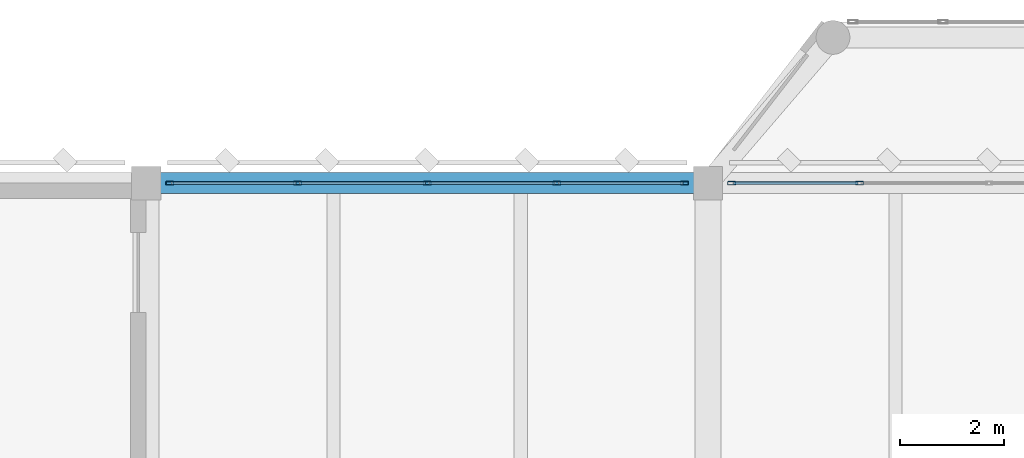
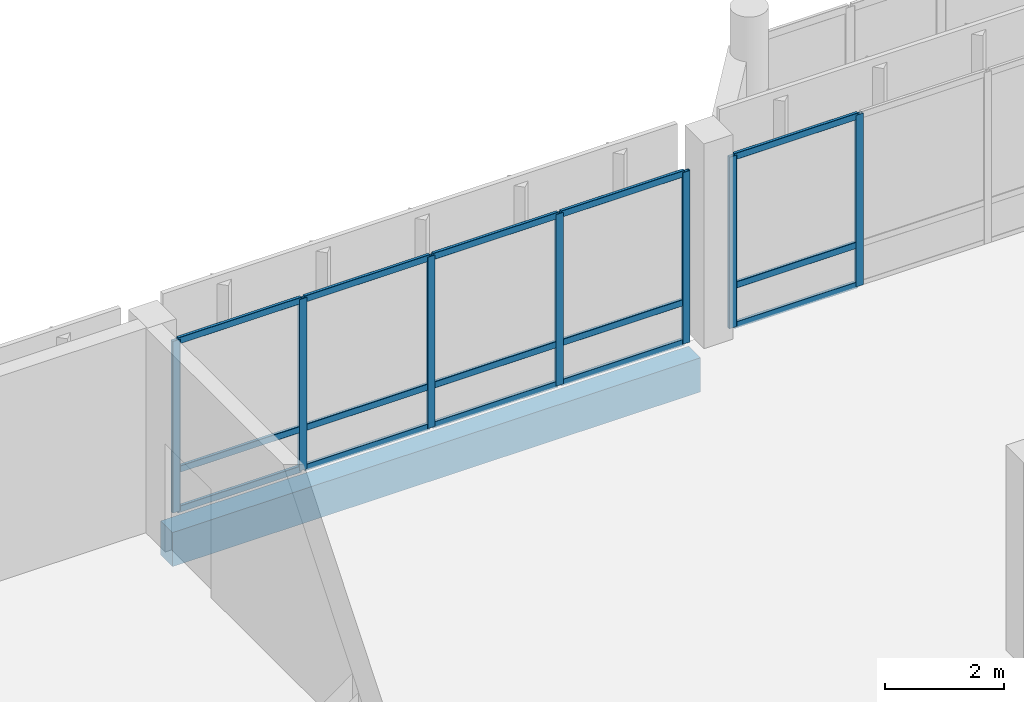
# One storey, part 43 of 158: 22 members, 1 beam, 2 elements without a shape of their own.
"""IFC4 building model written with IfcOpenShell, lengths in metres."""

from ifc_helpers import new_model, si_unit, direction, frame, origin, origin_2d, place, context, subcontext, project, spatial, rectangle, hollow_rectangle, extrude, material, material_profile, profile_set, type_object, element, aggregate, save


model = new_model("IFC4")

# Units and contexts
model_context = context("Model", 3, precision=1e-05, world=origin(), true_north=direction((0.0, 1.0)))
body_context = subcontext(model_context, "Body", "Model", "MODEL_VIEW")
ifc_project = project(units=[si_unit("LENGTHUNIT", "METRE"), si_unit("AREAUNIT", "SQUARE_METRE"), si_unit("VOLUMEUNIT", "CUBIC_METRE"), si_unit("PLANEANGLEUNIT", "RADIAN"), si_unit("MASSUNIT", "GRAM", prefix="KILO")], contexts=[model_context])

# Site, building, storey
site_placement = place(None, origin())
site = spatial("IfcSite", under=ifc_project, at=site_placement, CompositionType="ELEMENT")
building_placement = place(site_placement, origin())
building = spatial("IfcBuilding", under=site, at=building_placement, Name="Lusvemor Sports Hall", CompositionType="ELEMENT")
storey_placement = place(building_placement, frame((0.0, 0.0, 10.800048828125)))
storey = spatial("IfcBuildingStorey", under=building, at=storey_placement, Name="L02", CompositionType="ELEMENT", Elevation=10.800048828125)

# Curtain wall, members
ifc_material_1 = material(Name="Thermally broken bronze-anodized aluminium", Category="aluminium")
curtain_wall_type = type_object("IfcCurtainWallType", Name="CW_WING_B", PredefinedType="NOTDEFINED", material=ifc_material_1)
curtain_wall_1_placement = place(storey_placement, origin())
curtain_wall_1 = element("IfcCurtainWall", 1, at=curtain_wall_1_placement, inside=storey, type_object=curtain_wall_type, Name="Curtain Wall CW-L02-N-1-1", PredefinedType="NOTDEFINED")
ifc_material_2 = material(Name="Thermally broken bronze-anodized aluminium", Category="aluminium")
ifc_material_profile_1 = material_profile(ifc_material_2, hollow_rectangle(XDim=0.06494140625, YDim=0.14990234375, WallThickness=0.00390625, InnerFilletRadius=0.00390625, OuterFilletRadius=0.008056640625, at=origin_2d()), Name="CWMUL150x65x4")
ifc_profile_set_1 = profile_set([ifc_material_profile_1], Name="Thermally broken bronze-anodized aluminium")
member_type_1 = type_object("IfcMemberType", Name="CW_MUL_B", PredefinedType="MULLION", material=ifc_profile_set_1)
member_1_placement = place(storey_placement, frame((11.25244140625, 115.199951171875, 0.0), z_axis=(0.0, 0.0, 1.0), x_axis=(0.0, 1.0, 0.0)))
member_1 = element("IfcMember", 2, at=member_1_placement, type_object=member_type_1, Name="CW02 mullion 1", PredefinedType="MULLION", context=body_context, shape_type="SweptSolid", body=[
    extrude(hollow_rectangle(XDim=0.06494140625, YDim=0.14990234375, WallThickness=0.00390625, InnerFilletRadius=0.00390625, OuterFilletRadius=0.008056640625, at=origin_2d()), origin(), (0.0, 0.0, 1.0), 3.52001953125),
])
member_2_placement = place(storey_placement, frame((13.7099609375, 115.199951171875, 0.0), z_axis=(0.0, 0.0, 1.0), x_axis=(0.0, 1.0, 0.0)))
member_2 = element("IfcMember", 3, at=member_2_placement, type_object=member_type_1, Name="CW02 mullion 2", PredefinedType="MULLION", context=body_context, shape_type="SweptSolid", body=[
    extrude(hollow_rectangle(XDim=0.06494140625, YDim=0.14990234375, WallThickness=0.00390625, InnerFilletRadius=0.00390625, OuterFilletRadius=0.008056640625, at=origin_2d()), origin(), (0.0, 0.0, 1.0), 3.52001953125),
])
member_3_placement = place(storey_placement, frame((16.199951171875, 115.199951171875, 0.0), z_axis=(0.0, 0.0, 1.0), x_axis=(0.0, 1.0, 0.0)))
member_3 = element("IfcMember", 4, at=member_3_placement, type_object=member_type_1, Name="CW02 mullion 3", PredefinedType="MULLION", context=body_context, shape_type="SweptSolid", body=[
    extrude(hollow_rectangle(XDim=0.06494140625, YDim=0.14990234375, WallThickness=0.00390625, InnerFilletRadius=0.00390625, OuterFilletRadius=0.008056640625, at=origin_2d()), origin(), (0.0, 0.0, 1.0), 3.52001953125),
])
member_4_placement = place(storey_placement, frame((18.68994140625, 115.199951171875, 0.0), z_axis=(0.0, 0.0, 1.0), x_axis=(0.0, 1.0, 0.0)))
member_4 = element("IfcMember", 5, at=member_4_placement, type_object=member_type_1, Name="CW02 mullion 4", PredefinedType="MULLION", context=body_context, shape_type="SweptSolid", body=[
    extrude(hollow_rectangle(XDim=0.06494140625, YDim=0.14990234375, WallThickness=0.00390625, InnerFilletRadius=0.00390625, OuterFilletRadius=0.008056640625, at=origin_2d()), origin(), (0.0, 0.0, 1.0), 3.52001953125),
])
member_5_placement = place(storey_placement, frame((21.1474609375, 115.199951171875, 0.0), z_axis=(0.0, 0.0, 1.0), x_axis=(0.0, 1.0, 0.0)))
member_5 = element("IfcMember", 6, at=member_5_placement, type_object=member_type_1, Name="CW02 mullion 5", PredefinedType="MULLION", context=body_context, shape_type="SweptSolid", body=[
    extrude(hollow_rectangle(XDim=0.06494140625, YDim=0.14990234375, WallThickness=0.00390625, InnerFilletRadius=0.00390625, OuterFilletRadius=0.008056640625, at=origin_2d()), origin(), (0.0, 0.0, 1.0), 3.52001953125),
])

curtain_wall_2_placement = place(storey_placement, origin())
curtain_wall_2 = element("IfcCurtainWall", 7, at=curtain_wall_2_placement, inside=storey, type_object=curtain_wall_type, Name="Curtain Wall CW-L02-N-1-2", PredefinedType="NOTDEFINED")
member_6_placement = place(storey_placement, frame((22.052490234375, 115.199951171875, 0.0), z_axis=(0.0, 0.0, 1.0), x_axis=(0.0, 1.0, 0.0)))
member_6 = element("IfcMember", 8, at=member_6_placement, type_object=member_type_1, Name="CW02 mullion 1", PredefinedType="MULLION", context=body_context, shape_type="SweptSolid", body=[
    extrude(hollow_rectangle(XDim=0.06494140625, YDim=0.14990234375, WallThickness=0.00390625, InnerFilletRadius=0.00390625, OuterFilletRadius=0.008056640625, at=origin_2d()), origin(), (0.0, 0.0, 1.0), 3.52001953125),
])
member_7_placement = place(storey_placement, frame((24.510009765625, 115.199951171875, 0.0), z_axis=(0.0, 0.0, 1.0), x_axis=(0.0, 1.0, 0.0)))
member_7 = element("IfcMember", 9, at=member_7_placement, type_object=member_type_1, Name="CW02 mullion 2", PredefinedType="MULLION", context=body_context, shape_type="SweptSolid", body=[
    extrude(hollow_rectangle(XDim=0.06494140625, YDim=0.14990234375, WallThickness=0.00390625, InnerFilletRadius=0.00390625, OuterFilletRadius=0.008056640625, at=origin_2d()), origin(), (0.0, 0.0, 1.0), 3.52001953125),
])

# Member
ifc_material_3 = material(Name="Thermally broken bronze-anodized aluminium", Category="aluminium")
ifc_material_profile_2 = material_profile(ifc_material_3, hollow_rectangle(XDim=0.06005859375, YDim=0.135009765625, WallThickness=0.00390625, InnerFilletRadius=0.00390625, OuterFilletRadius=0.008056640625, at=origin_2d()), Name="CWTRN135x60x4")
ifc_profile_set_2 = profile_set([ifc_material_profile_2], Name="Thermally broken bronze-anodized aluminium")
member_type_2 = type_object("IfcMemberType", Name="CW_TRN_B", PredefinedType="USERDEFINED", material=ifc_profile_set_2)
member_8_placement = place(storey_placement, frame((11.284912109375, 115.199951171875, 0.030029296875), z_axis=(1.0, 0.0, 0.0), x_axis=(0.0, 1.0, 0.0)))
member_8 = element("IfcMember", 10, at=member_8_placement, type_object=member_type_2, Name="CW02 transom 1.1", ObjectType="TRANSOM", PredefinedType="USERDEFINED", context=body_context, shape_type="SweptSolid", body=[
    extrude(hollow_rectangle(XDim=0.06005859375, YDim=0.135009765625, WallThickness=0.00390625, InnerFilletRadius=0.00390625, OuterFilletRadius=0.008056640625, at=origin_2d()), origin(), (0.0, 0.0, 1.0), 2.392578125),
])

member_9_placement = place(storey_placement, frame((11.284912109375, 115.199951171875, 0.849853515625), z_axis=(1.0, 0.0, 0.0), x_axis=(0.0, 1.0, 0.0)))
member_9 = element("IfcMember", 11, at=member_9_placement, type_object=member_type_2, Name="CW02 transom 1.2", ObjectType="TRANSOM", PredefinedType="USERDEFINED", context=body_context, shape_type="SweptSolid", body=[
    extrude(hollow_rectangle(XDim=0.06005859375, YDim=0.135009765625, WallThickness=0.00390625, InnerFilletRadius=0.00390625, OuterFilletRadius=0.008056640625, at=origin_2d()), origin(), (0.0, 0.0, 1.0), 2.392578125),
])

member_10_placement = place(storey_placement, frame((11.284912109375, 115.199951171875, 3.489990234375), z_axis=(1.0, 0.0, 0.0), x_axis=(0.0, 1.0, 0.0)))
member_10 = element("IfcMember", 12, at=member_10_placement, type_object=member_type_2, Name="CW02 transom 1.3", ObjectType="TRANSOM", PredefinedType="USERDEFINED", context=body_context, shape_type="SweptSolid", body=[
    extrude(hollow_rectangle(XDim=0.06005859375, YDim=0.135009765625, WallThickness=0.00390625, InnerFilletRadius=0.00390625, OuterFilletRadius=0.008056640625, at=origin_2d()), origin(), (0.0, 0.0, 1.0), 2.392578125),
])

member_11_placement = place(storey_placement, frame((13.742431640625, 115.199951171875, 0.030029296875), z_axis=(1.0, 0.0, 0.0), x_axis=(0.0, 1.0, 0.0)))
member_11 = element("IfcMember", 13, at=member_11_placement, type_object=member_type_2, Name="CW02 transom 2.1", ObjectType="TRANSOM", PredefinedType="USERDEFINED", context=body_context, shape_type="SweptSolid", body=[
    extrude(hollow_rectangle(XDim=0.06005859375, YDim=0.135009765625, WallThickness=0.00390625, InnerFilletRadius=0.00390625, OuterFilletRadius=0.008056640625, at=origin_2d()), origin(), (0.0, 0.0, 1.0), 2.425048828125),
])

member_12_placement = place(storey_placement, frame((13.742431640625, 115.199951171875, 0.849853515625), z_axis=(1.0, 0.0, 0.0), x_axis=(0.0, 1.0, 0.0)))
member_12 = element("IfcMember", 14, at=member_12_placement, type_object=member_type_2, Name="CW02 transom 2.2", ObjectType="TRANSOM", PredefinedType="USERDEFINED", context=body_context, shape_type="SweptSolid", body=[
    extrude(hollow_rectangle(XDim=0.06005859375, YDim=0.135009765625, WallThickness=0.00390625, InnerFilletRadius=0.00390625, OuterFilletRadius=0.008056640625, at=origin_2d()), origin(), (0.0, 0.0, 1.0), 2.425048828125),
])

member_13_placement = place(storey_placement, frame((13.742431640625, 115.199951171875, 3.489990234375), z_axis=(1.0, 0.0, 0.0), x_axis=(0.0, 1.0, 0.0)))
member_13 = element("IfcMember", 15, at=member_13_placement, type_object=member_type_2, Name="CW02 transom 2.3", ObjectType="TRANSOM", PredefinedType="USERDEFINED", context=body_context, shape_type="SweptSolid", body=[
    extrude(hollow_rectangle(XDim=0.06005859375, YDim=0.135009765625, WallThickness=0.00390625, InnerFilletRadius=0.00390625, OuterFilletRadius=0.008056640625, at=origin_2d()), origin(), (0.0, 0.0, 1.0), 2.425048828125),
])

member_14_placement = place(storey_placement, frame((16.232421875, 115.199951171875, 0.030029296875), z_axis=(1.0, 0.0, 0.0), x_axis=(0.0, 1.0, 0.0)))
member_14 = element("IfcMember", 16, at=member_14_placement, type_object=member_type_2, Name="CW02 transom 3.1", ObjectType="TRANSOM", PredefinedType="USERDEFINED", context=body_context, shape_type="SweptSolid", body=[
    extrude(hollow_rectangle(XDim=0.06005859375, YDim=0.135009765625, WallThickness=0.00390625, InnerFilletRadius=0.00390625, OuterFilletRadius=0.008056640625, at=origin_2d()), origin(), (0.0, 0.0, 1.0), 2.425048828125),
])

member_15_placement = place(storey_placement, frame((16.232421875, 115.199951171875, 0.849853515625), z_axis=(1.0, 0.0, 0.0), x_axis=(0.0, 1.0, 0.0)))
member_15 = element("IfcMember", 17, at=member_15_placement, type_object=member_type_2, Name="CW02 transom 3.2", ObjectType="TRANSOM", PredefinedType="USERDEFINED", context=body_context, shape_type="SweptSolid", body=[
    extrude(hollow_rectangle(XDim=0.06005859375, YDim=0.135009765625, WallThickness=0.00390625, InnerFilletRadius=0.00390625, OuterFilletRadius=0.008056640625, at=origin_2d()), origin(), (0.0, 0.0, 1.0), 2.425048828125),
])

member_16_placement = place(storey_placement, frame((16.232421875, 115.199951171875, 3.489990234375), z_axis=(1.0, 0.0, 0.0), x_axis=(0.0, 1.0, 0.0)))
member_16 = element("IfcMember", 18, at=member_16_placement, type_object=member_type_2, Name="CW02 transom 3.3", ObjectType="TRANSOM", PredefinedType="USERDEFINED", context=body_context, shape_type="SweptSolid", body=[
    extrude(hollow_rectangle(XDim=0.06005859375, YDim=0.135009765625, WallThickness=0.00390625, InnerFilletRadius=0.00390625, OuterFilletRadius=0.008056640625, at=origin_2d()), origin(), (0.0, 0.0, 1.0), 2.425048828125),
])

member_17_placement = place(storey_placement, frame((18.722412109375, 115.199951171875, 0.030029296875), z_axis=(1.0, 0.0, 0.0), x_axis=(0.0, 1.0, 0.0)))
member_17 = element("IfcMember", 19, at=member_17_placement, type_object=member_type_2, Name="CW02 transom 4.1", ObjectType="TRANSOM", PredefinedType="USERDEFINED", context=body_context, shape_type="SweptSolid", body=[
    extrude(hollow_rectangle(XDim=0.06005859375, YDim=0.135009765625, WallThickness=0.00390625, InnerFilletRadius=0.00390625, OuterFilletRadius=0.008056640625, at=origin_2d()), origin(), (0.0, 0.0, 1.0), 2.392578125),
])

member_18_placement = place(storey_placement, frame((18.722412109375, 115.199951171875, 0.849853515625), z_axis=(1.0, 0.0, 0.0), x_axis=(0.0, 1.0, 0.0)))
member_18 = element("IfcMember", 20, at=member_18_placement, type_object=member_type_2, Name="CW02 transom 4.2", ObjectType="TRANSOM", PredefinedType="USERDEFINED", context=body_context, shape_type="SweptSolid", body=[
    extrude(hollow_rectangle(XDim=0.06005859375, YDim=0.135009765625, WallThickness=0.00390625, InnerFilletRadius=0.00390625, OuterFilletRadius=0.008056640625, at=origin_2d()), origin(), (0.0, 0.0, 1.0), 2.392578125),
])

member_19_placement = place(storey_placement, frame((18.722412109375, 115.199951171875, 3.489990234375), z_axis=(1.0, 0.0, 0.0), x_axis=(0.0, 1.0, 0.0)))
member_19 = element("IfcMember", 21, at=member_19_placement, type_object=member_type_2, Name="CW02 transom 4.3", ObjectType="TRANSOM", PredefinedType="USERDEFINED", context=body_context, shape_type="SweptSolid", body=[
    extrude(hollow_rectangle(XDim=0.06005859375, YDim=0.135009765625, WallThickness=0.00390625, InnerFilletRadius=0.00390625, OuterFilletRadius=0.008056640625, at=origin_2d()), origin(), (0.0, 0.0, 1.0), 2.392578125),
])

aggregate(curtain_wall_1, [member_1, member_2, member_3, member_4, member_5, member_8, member_9, member_10, member_11, member_12, member_13, member_14, member_15, member_16, member_17, member_18, member_19])

member_20_placement = place(storey_placement, frame((22.0849609375, 115.199951171875, 0.030029296875), z_axis=(1.0, 0.0, 0.0), x_axis=(0.0, 1.0, 0.0)))
member_20 = element("IfcMember", 22, at=member_20_placement, type_object=member_type_2, Name="CW02 transom 1.1", ObjectType="TRANSOM", PredefinedType="USERDEFINED", context=body_context, shape_type="SweptSolid", body=[
    extrude(hollow_rectangle(XDim=0.06005859375, YDim=0.135009765625, WallThickness=0.00390625, InnerFilletRadius=0.00390625, OuterFilletRadius=0.008056640625, at=origin_2d()), origin(), (0.0, 0.0, 1.0), 2.392578125),
])

member_21_placement = place(storey_placement, frame((22.0849609375, 115.199951171875, 0.849853515625), z_axis=(1.0, 0.0, 0.0), x_axis=(0.0, 1.0, 0.0)))
member_21 = element("IfcMember", 23, at=member_21_placement, type_object=member_type_2, Name="CW02 transom 1.2", ObjectType="TRANSOM", PredefinedType="USERDEFINED", context=body_context, shape_type="SweptSolid", body=[
    extrude(hollow_rectangle(XDim=0.06005859375, YDim=0.135009765625, WallThickness=0.00390625, InnerFilletRadius=0.00390625, OuterFilletRadius=0.008056640625, at=origin_2d()), origin(), (0.0, 0.0, 1.0), 2.392578125),
])

member_22_placement = place(storey_placement, frame((22.0849609375, 115.199951171875, 3.489990234375), z_axis=(1.0, 0.0, 0.0), x_axis=(0.0, 1.0, 0.0)))
member_22 = element("IfcMember", 24, at=member_22_placement, type_object=member_type_2, Name="CW02 transom 1.3", ObjectType="TRANSOM", PredefinedType="USERDEFINED", context=body_context, shape_type="SweptSolid", body=[
    extrude(hollow_rectangle(XDim=0.06005859375, YDim=0.135009765625, WallThickness=0.00390625, InnerFilletRadius=0.00390625, OuterFilletRadius=0.008056640625, at=origin_2d()), origin(), (0.0, 0.0, 1.0), 2.392578125),
])

aggregate(curtain_wall_2, [member_6, member_7, member_20, member_21, member_22])

# Beam
ifc_material_4 = material(Name="Concrete C40/50", Category="concrete")
ifc_material_profile_3 = material_profile(ifc_material_4, rectangle(XDim=0.39990234375, YDim=0.699951171875, at=origin_2d()), Name="RC400x700")
ifc_profile_set_3 = profile_set([ifc_material_profile_3], Name="Concrete C40/50")
beam_type = type_object("IfcBeamType", Name="SPAND_EXT_700", PredefinedType="SPANDREL", material=ifc_profile_set_3)
beam_placement = place(storey_placement, frame((11.075927734375, 115.199951171875, -0.610107421875), z_axis=(1.0, 0.0, 0.0), x_axis=(0.0, 1.0, 0.0)))
element("IfcBeam", 25, at=beam_placement, inside=storey, type_object=beam_type, Name="Beam L02 Q:2-3", PredefinedType="SPANDREL", context=body_context, shape_type="SweptSolid", body=[
    extrude(rectangle(XDim=0.39990234375, YDim=0.699951171875, at=origin_2d()), origin(), (0.0, 0.0, 1.0), 10.248046875),
])

save(model, "model.ifc")
